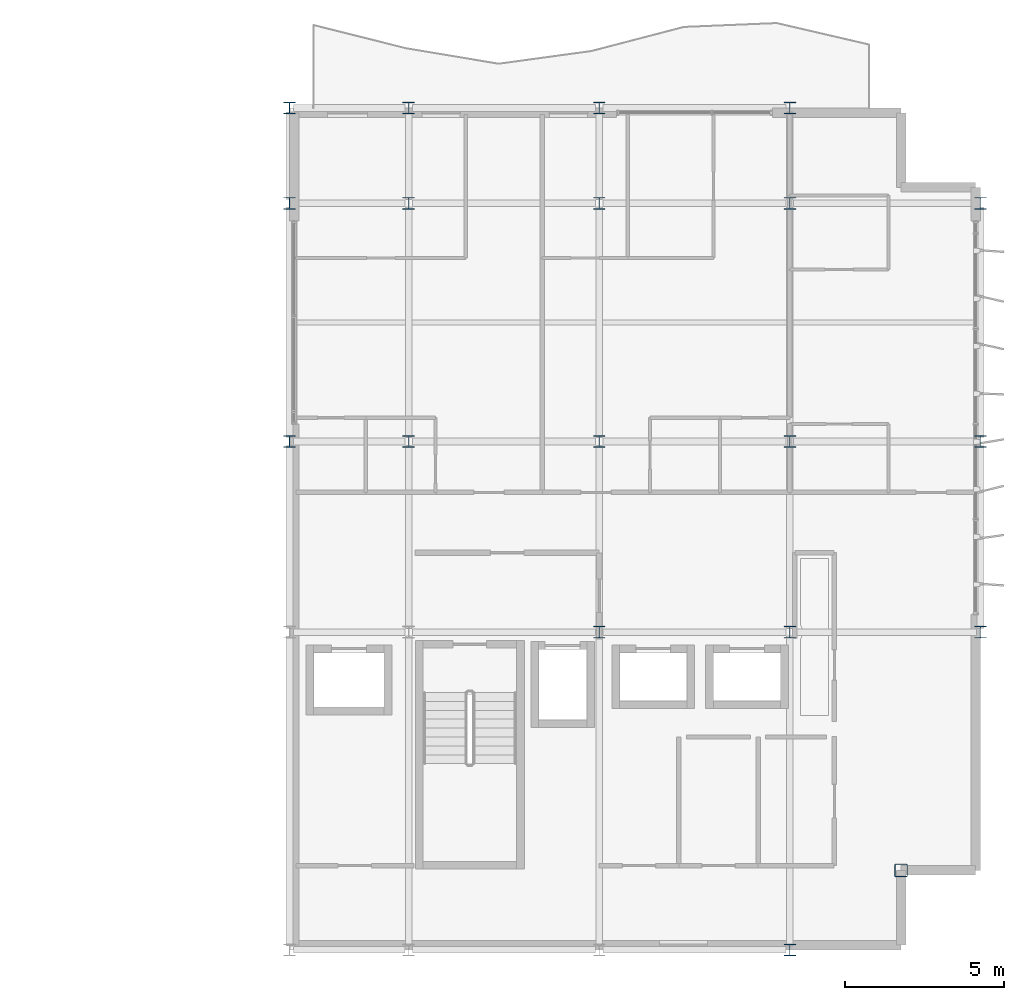
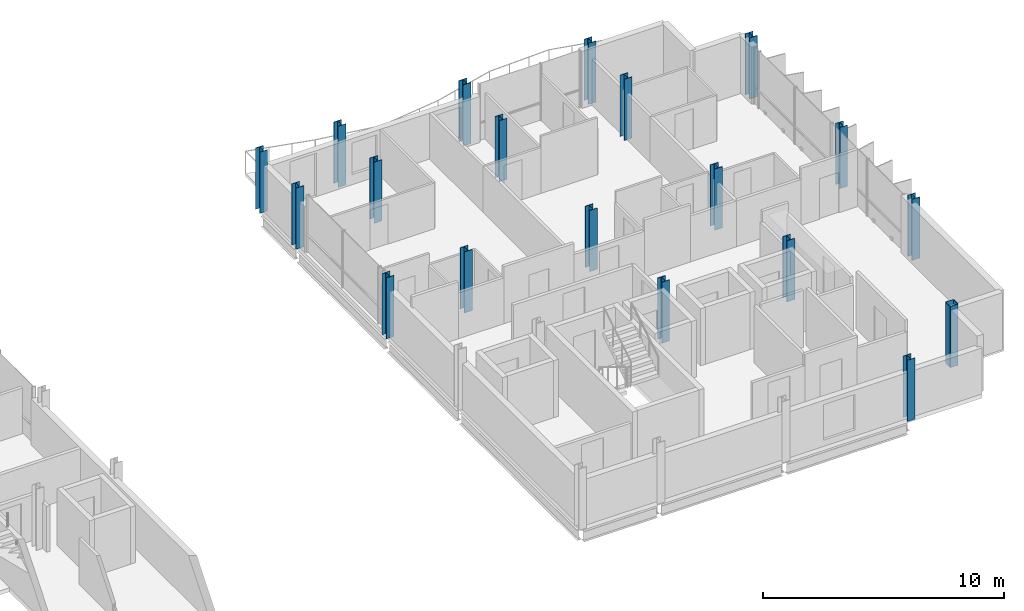
# One storey, part 2 of 30: 19 columns.
"""IFC4 building model written with IfcOpenShell, lengths in metres."""

from ifc_helpers import new_model, si_unit, direction, frame, origin, origin_2d, place, context, subcontext, project, spatial, hollow_rectangle, i_section, extrude, material, material_profile, profile_set, type_object, element, save


model = new_model("IFC4")

# Units and contexts
model_context = context("Model", 3, precision=1e-05, world=origin(), true_north=direction((0.0, 1.0)))
body_context = subcontext(model_context, "Body", "Model", "MODEL_VIEW")
ifc_project = project(units=[si_unit("LENGTHUNIT", "METRE"), si_unit("AREAUNIT", "SQUARE_METRE"), si_unit("VOLUMEUNIT", "CUBIC_METRE"), si_unit("PLANEANGLEUNIT", "RADIAN"), si_unit("MASSUNIT", "GRAM", prefix="KILO")], contexts=[model_context])

# Site, building, storey
site_placement = place(None, origin())
site = spatial("IfcSite", under=ifc_project, at=site_placement, CompositionType="ELEMENT")
building_placement = place(site_placement, origin())
building = spatial("IfcBuilding", under=site, at=building_placement, Name="Brevholm Reach", CompositionType="ELEMENT")
storey_placement = place(building_placement, frame((0.0, 0.0, 204.89990234375)))
storey = spatial("IfcBuildingStorey", under=building, at=storey_placement, Name="L62", CompositionType="ELEMENT", Elevation=204.89990234375)

# Columns
ifc_material_1 = material(Name="Structural Steel S460NH", Category="steel")
ifc_material_profile_1 = material_profile(ifc_material_1, hollow_rectangle(XDim=0.39990234375, YDim=0.39990234375, WallThickness=0.02001953125, InnerFilletRadius=0.011962890625, OuterFilletRadius=0.02392578125, at=origin_2d()), Name="SHS 400x400x20")
ifc_profile_set_1 = profile_set([ifc_material_profile_1], Name="Structural Steel S460NH")
column_type_1 = type_object("IfcColumnType", Name="COL-SHS2", PredefinedType="COLUMN", material=ifc_profile_set_1)
column_placement = place(storey_placement, frame((57.5, 2.5, 0.0), z_axis=(0.0, 0.0, 1.0), x_axis=(1.0, 0.0, 0.0)))
element("IfcColumn", 1, at=column_placement, inside=storey, type_object=column_type_1, Name="L62 Column 45", PredefinedType="COLUMN", context=body_context, shape_type="SweptSolid", body=[
    extrude(hollow_rectangle(XDim=0.39990234375, YDim=0.39990234375, WallThickness=0.02001953125, InnerFilletRadius=0.011962890625, OuterFilletRadius=0.02392578125, at=origin_2d()), origin(), (0.0, 0.0, 1.0), 3.10009765625),
])
ifc_material_2 = material(Name="Structural Steel S355J2", Category="steel")
ifc_material_profile_2 = material_profile(ifc_material_2, i_section(OverallWidth=0.374755859375, OverallDepth=0.37451171875, WebThickness=0.0166015625, FlangeThickness=0.027099609375, FilletRadius=0.01513671875, at=origin_2d()), Name="UKC 356x368x202")
ifc_profile_set_2 = profile_set([ifc_material_profile_2], Name="Structural Steel S355J2")
column_type_2 = type_object("IfcColumnType", Name="COL-UC6", PredefinedType="COLUMN", material=ifc_profile_set_2)
for number, where, z_axis, x_axis, name in (
    (2, (38.25, 16.0, 0.0), (0.0, 0.0, 1.0), (1.0, 0.0, 0.0), "L62 Column 27"),
    (3, (38.25, 23.5, 0.0), (0.0, 0.0, 1.0), (1.0, 0.0, 0.0), "L62 Column 28"),
    (4, (38.25, 26.5, 0.0), (0.0, 0.0, 1.0), (1.0, 0.0, 0.0), "L62 Column 29"),
    (5, (42.0, 16.0, 0.0), (0.0, 0.0, 1.0), (1.0, 0.0, 0.0), "L62 Column 32"),
    (6, (42.0, 23.5, 0.0), (0.0, 0.0, 1.0), (1.0, 0.0, 0.0), "L62 Column 33"),
    (7, (42.0, 26.5, 0.0), (0.0, 0.0, 1.0), (1.0, 0.0, 0.0), "L62 Column 34"),
    (8, (48.0, 10.0, 0.0), (0.0, 0.0, 1.0), (1.0, 0.0, 0.0), "L62 Column 36"),
    (9, (48.0, 16.0, 0.0), (0.0, 0.0, 1.0), (1.0, 0.0, 0.0), "L62 Column 37"),
    (10, (48.0, 23.5, 0.0), (0.0, 0.0, 1.0), (1.0, 0.0, 0.0), "L62 Column 38"),
    (11, (48.0, 26.5, 0.0), (0.0, 0.0, 1.0), (1.0, 0.0, 0.0), "L62 Column 39"),
    (12, (54.0, 0.0, 0.0), (0.0, 0.0, 1.0), (1.0, 0.0, 0.0), "L62 Column 40"),
    (13, (54.0, 10.0, 0.0), (0.0, 0.0, 1.0), (1.0, 0.0, 0.0), "L62 Column 41"),
    (14, (54.0, 16.0, 0.0), (0.0, 0.0, 1.0), (1.0, 0.0, 0.0), "L62 Column 42"),
    (15, (54.0, 23.5, 0.0), (0.0, 0.0, 1.0), (1.0, 0.0, 0.0), "L62 Column 43"),
    (16, (54.0, 26.5, 0.0), (0.0, 0.0, 1.0), (1.0, 0.0, 0.0), "L62 Column 44"),
    (17, (60.0, 10.0, 0.0), (0.0, 0.0, 1.0), (1.0, 0.0, 0.0), "L62 Column 46"),
    (18, (60.0, 16.0, 0.0), (0.0, 0.0, 1.0), (1.0, 0.0, 0.0), "L62 Column 47"),
    (19, (60.0, 23.5, 0.0), (0.0, 0.0, 1.0), (1.0, 0.0, 0.0), "L62 Column 48"),
):
    element("IfcColumn", number, at=place(storey_placement, frame(where, z_axis=z_axis, x_axis=x_axis)), inside=storey, type_object=column_type_2, Name=name, PredefinedType="COLUMN", context=body_context, shape_type="SweptSolid", body=[
        extrude(i_section(OverallWidth=0.374755859375, OverallDepth=0.37451171875, WebThickness=0.0166015625, FlangeThickness=0.027099609375, FilletRadius=0.01513671875, at=origin_2d()), origin(), (0.0, 0.0, 1.0), 3.10009765625),
    ])

save(model, "model.ifc")
